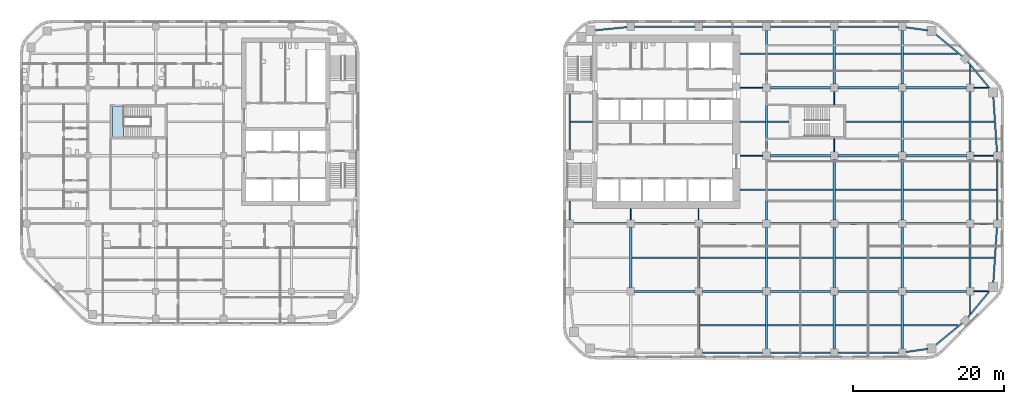
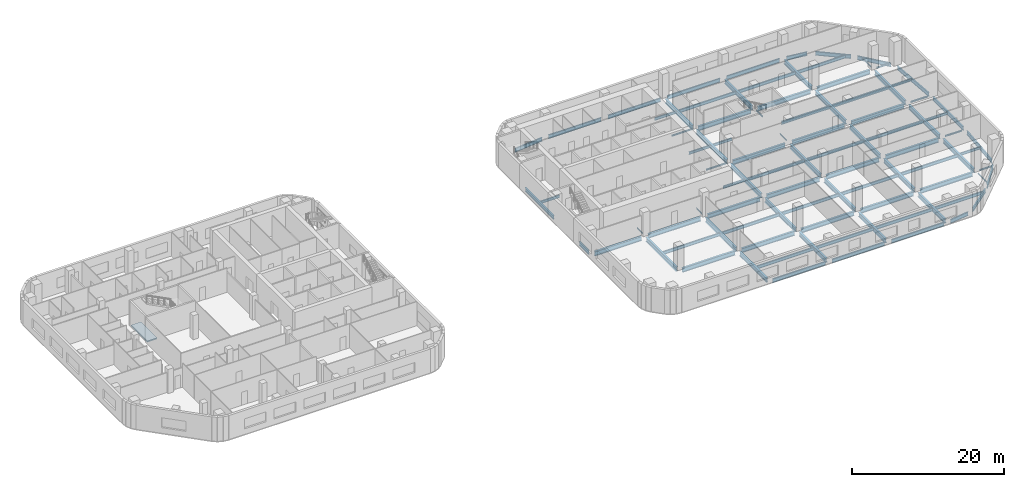
# One storey, part 3 of 16: 93 beams, 1 slab, 1 element without a shape of its own.
"""IFC4 building model written with IfcOpenShell, lengths in metres."""

from ifc_helpers import new_model, si_unit, direction, frame, origin, origin_2d, place, context, subcontext, project, spatial, polyline, i_section, outline, extrude, material, layer, layer_set, material_profile, profile_set, type_object, element, aggregate, save


model = new_model("IFC4")

# Units and contexts
model_context = context("Model", 3, precision=1e-05, world=origin(), true_north=direction((0.0, 1.0)))
body_context = subcontext(model_context, "Body", "Model", "MODEL_VIEW")
ifc_project = project(units=[si_unit("LENGTHUNIT", "METRE"), si_unit("AREAUNIT", "SQUARE_METRE"), si_unit("VOLUMEUNIT", "CUBIC_METRE"), si_unit("PLANEANGLEUNIT", "RADIAN"), si_unit("MASSUNIT", "GRAM", prefix="KILO")], contexts=[model_context])

# Site, building, storey
site_placement = place(None, origin())
site = spatial("IfcSite", under=ifc_project, at=site_placement, CompositionType="ELEMENT")
building_placement = place(site_placement, origin())
building = spatial("IfcBuilding", under=site, at=building_placement, Name="Cinnabar Reach Civic Tower", CompositionType="ELEMENT")
storey_placement = place(building_placement, frame((0.0, 0.0, 38.0)))
storey = spatial("IfcBuildingStorey", under=building, at=storey_placement, Name="L08", CompositionType="ELEMENT", Elevation=38.0)

# Beams
ifc_material_1 = material(Name="Steel Q355B", Category="steel")
ifc_material_profile_1 = material_profile(ifc_material_1, i_section(OverallWidth=0.099, OverallDepth=0.198, WebThickness=0.0045, FlangeThickness=0.007, FilletRadius=0.013, at=origin_2d()), Name="HN200x100x5.5x8")
ifc_profile_set_1 = profile_set([ifc_material_profile_1], Name="Steel Q355B")
beam_type_1 = type_object("IfcBeamType", Name="HN200x100x5.5x8 beam R 180", PredefinedType="BEAM", material=ifc_profile_set_1)
for number, where, z_axis, x_axis, name in (
    (1, (9.0, 18.502, -0.249), (0.0, 1.0, 0.0), (-1.0, 0.0, 0.0), "Girder T1 L08 3"),
    (2, (18.0, 18.502, -0.249), (0.0, 1.0, 0.0), (-1.0, 0.0, 0.0), "Girder T1 L08 6"),
):
    element("IfcBeam", number, at=place(storey_placement, frame(where, z_axis=z_axis, x_axis=x_axis)), inside=storey, type_object=beam_type_1, Name=name, PredefinedType="BEAM", context=body_context, shape_type="SweptSolid", body=[
        extrude(i_section(OverallWidth=0.099, OverallDepth=0.198, WebThickness=0.0045, FlangeThickness=0.007, FilletRadius=0.013, at=origin_2d()), origin(), (0.0, 0.0, 1.0), 1.496),
    ])
for number, where, z_axis, x_axis, name in (
    (3, (36.0, 27.502, -0.249), (0.0, 1.0, 0.0), (-1.0, 0.0, 0.0), "Girder T1 L08 15"),
    (4, (36.0, 33.752, -0.249), (0.0, 1.0, 0.0), (-1.0, 0.0, 0.0), "Girder T1 L08 16"),
):
    element("IfcBeam", number, at=place(storey_placement, frame(where, z_axis=z_axis, x_axis=x_axis)), inside=storey, type_object=beam_type_1, Name=name, PredefinedType="BEAM", context=body_context, shape_type="SweptSolid", body=[
        extrude(i_section(OverallWidth=0.099, OverallDepth=0.198, WebThickness=0.0045, FlangeThickness=0.007, FilletRadius=0.013, at=origin_2d()), origin(), (0.0, 0.0, 1.0), 1.746),
    ])
for number, where, z_axis, x_axis, name in (
    (5, (54.0, 6.0682, -0.249), (0.0, 1.0, 0.0), (-1.0, 0.0, 0.0), "Girder T1 L08 23"),
    (6, (54.0, 36.502, -0.249), (0.0, 1.0, 0.0), (-1.0, 0.0, 0.0), "Girder T1 L08 27"),
):
    element("IfcBeam", number, at=place(storey_placement, frame(where, z_axis=z_axis, x_axis=x_axis)), inside=storey, type_object=beam_type_1, Name=name, PredefinedType="BEAM", context=body_context, shape_type="SweptSolid", body=[
        extrude(i_section(OverallWidth=0.099, OverallDepth=0.198, WebThickness=0.0045, FlangeThickness=0.007, FilletRadius=0.013, at=origin_2d()), origin(), (0.0, 0.0, 1.0), 2.4298),
    ])
ifc_material_profile_2 = material_profile(ifc_material_1, i_section(OverallWidth=0.124, OverallDepth=0.248, WebThickness=0.005, FlangeThickness=0.008, FilletRadius=0.013, at=origin_2d()), Name="HN250x125x6x9")
ifc_profile_set_2 = profile_set([ifc_material_profile_2], Name="Steel Q355B")
beam_type_2 = type_object("IfcBeamType", Name="HN250x125x6x9 beam R 180", PredefinedType="BEAM", material=ifc_profile_set_2)
beam_1_placement = place(storey_placement, frame((54.502, 9.0, -0.274), z_axis=(1.0, 0.0, 0.0), x_axis=(0.0, 1.0, 0.0)))
element("IfcBeam", 7, at=beam_1_placement, inside=storey, type_object=beam_type_2, Name="Girder T1 L08 7", PredefinedType="BEAM", context=body_context, shape_type="SweptSolid", body=[
    extrude(i_section(OverallWidth=0.124, OverallDepth=0.248, WebThickness=0.005, FlangeThickness=0.008, FilletRadius=0.013, at=origin_2d()), origin(), (0.0, 0.0, 1.0), 1.9162),
])
beam_2_placement = place(storey_placement, frame((54.502, 18.0, -0.274), z_axis=(1.0, 0.0, 0.0), x_axis=(0.0, 1.0, 0.0)))
element("IfcBeam", 8, at=beam_2_placement, inside=storey, type_object=beam_type_2, Name="Girder T1 L08 14", PredefinedType="BEAM", context=body_context, shape_type="SweptSolid", body=[
    extrude(i_section(OverallWidth=0.124, OverallDepth=0.248, WebThickness=0.005, FlangeThickness=0.008, FilletRadius=0.013, at=origin_2d()), origin(), (0.0, 0.0, 1.0), 2.596),
])
beam_3_placement = place(storey_placement, frame((23.502, 27.0, -0.274), z_axis=(1.0, 0.0, 0.0), x_axis=(0.0, 1.0, 0.0)))
element("IfcBeam", 9, at=beam_3_placement, inside=storey, type_object=beam_type_2, Name="Girder T1 L08 15", PredefinedType="BEAM", context=body_context, shape_type="SweptSolid", body=[
    extrude(i_section(OverallWidth=0.124, OverallDepth=0.248, WebThickness=0.005, FlangeThickness=0.008, FilletRadius=0.013, at=origin_2d()), origin(), (0.0, 0.0, 1.0), 2.996),
])
beam_4_placement = place(storey_placement, frame((54.502, 27.0, -0.274), z_axis=(1.0, 0.0, 0.0), x_axis=(0.0, 1.0, 0.0)))
element("IfcBeam", 10, at=beam_4_placement, inside=storey, type_object=beam_type_2, Name="Girder T1 L08 19", PredefinedType="BEAM", context=body_context, shape_type="SweptSolid", body=[
    extrude(i_section(OverallWidth=0.124, OverallDepth=0.248, WebThickness=0.005, FlangeThickness=0.008, FilletRadius=0.013, at=origin_2d()), origin(), (0.0, 0.0, 1.0), 2.596),
])
beam_5_placement = place(storey_placement, frame((23.502, 36.0, -0.274), z_axis=(1.0, 0.0, 0.0), x_axis=(0.0, 1.0, 0.0)))
element("IfcBeam", 11, at=beam_5_placement, inside=storey, type_object=beam_type_2, Name="Girder T1 L08 20", PredefinedType="BEAM", context=body_context, shape_type="SweptSolid", body=[
    extrude(i_section(OverallWidth=0.124, OverallDepth=0.248, WebThickness=0.005, FlangeThickness=0.008, FilletRadius=0.013, at=origin_2d()), origin(), (0.0, 0.0, 1.0), 2.996),
])
beam_6_placement = place(storey_placement, frame((54.502, 36.0, -0.274), z_axis=(1.0, 0.0, 0.0), x_axis=(0.0, 1.0, 0.0)))
element("IfcBeam", 12, at=beam_6_placement, inside=storey, type_object=beam_type_2, Name="Girder T1 L08 24", PredefinedType="BEAM", context=body_context, shape_type="SweptSolid", body=[
    extrude(i_section(OverallWidth=0.124, OverallDepth=0.248, WebThickness=0.005, FlangeThickness=0.008, FilletRadius=0.013, at=origin_2d()), origin(), (0.0, 0.0, 1.0), 1.9162),
])
ifc_material_profile_3 = material_profile(ifc_material_1, i_section(OverallWidth=0.2, OverallDepth=0.4, WebThickness=0.008, FlangeThickness=0.013, FilletRadius=0.016, at=origin_2d()), Name="HN400x200x8x13")
ifc_profile_set_3 = profile_set([ifc_material_profile_3], Name="Steel Q355B")
beam_type_3 = type_object("IfcBeamType", Name="HN400x200x8x13 beam R 180", PredefinedType="BEAM", material=ifc_profile_set_3)
beam_7_placement = place(storey_placement, frame((54.152, 13.5, -0.35), z_axis=(1.0, 0.0, 0.0), x_axis=(0.0, 1.0, 0.0)))
element("IfcBeam", 13, at=beam_7_placement, inside=storey, type_object=beam_type_3, Name="Secondary beam T1 L08 13", PredefinedType="BEAM", context=body_context, shape_type="SweptSolid", body=[
    extrude(i_section(OverallWidth=0.2, OverallDepth=0.4, WebThickness=0.008, FlangeThickness=0.013, FilletRadius=0.016, at=origin_2d()), origin(), (0.0, 0.0, 1.0), 3.0494),
])
for number, where, z_axis, x_axis, name in (
    (14, (23.502, 22.5, -0.35), (1.0, 0.0, 0.0), (0.0, 1.0, 0.0), "Secondary beam T1 L08 14"),
    (15, (54.152, 22.5, -0.35), (1.0, 0.0, 0.0), (0.0, 1.0, 0.0), "Secondary beam T1 L08 18"),
):
    element("IfcBeam", number, at=place(storey_placement, frame(where, z_axis=z_axis, x_axis=x_axis)), inside=storey, type_object=beam_type_3, Name=name, PredefinedType="BEAM", context=body_context, shape_type="SweptSolid", body=[
        extrude(i_section(OverallWidth=0.2, OverallDepth=0.4, WebThickness=0.008, FlangeThickness=0.013, FilletRadius=0.016, at=origin_2d()), origin(), (0.0, 0.0, 1.0), 3.346),
    ])
beam_8_placement = place(storey_placement, frame((1.002, 31.5, -0.35), z_axis=(1.0, 0.0, 0.0), x_axis=(0.0, 1.0, 0.0)))
element("IfcBeam", 16, at=beam_8_placement, inside=storey, type_object=beam_type_3, Name="Secondary beam T1 L08 19", PredefinedType="BEAM", context=body_context, shape_type="SweptSolid", body=[
    extrude(i_section(OverallWidth=0.2, OverallDepth=0.4, WebThickness=0.008, FlangeThickness=0.013, FilletRadius=0.016, at=origin_2d()), origin(), (0.0, 0.0, 1.0), 2.896),
])
beam_9_placement = place(storey_placement, frame((23.502, 31.5, -0.35), z_axis=(1.0, 0.0, 0.0), x_axis=(0.0, 1.0, 0.0)))
element("IfcBeam", 17, at=beam_9_placement, inside=storey, type_object=beam_type_3, Name="Secondary beam T1 L08 20", PredefinedType="BEAM", context=body_context, shape_type="SweptSolid", body=[
    extrude(i_section(OverallWidth=0.2, OverallDepth=0.4, WebThickness=0.008, FlangeThickness=0.013, FilletRadius=0.016, at=origin_2d()), origin(), (0.0, 0.0, 1.0), 3.346),
])
beam_10_placement = place(storey_placement, frame((27.152, 31.5, -0.35), z_axis=(1.0, 0.0, 0.0), x_axis=(0.0, 1.0, 0.0)))
element("IfcBeam", 18, at=beam_10_placement, inside=storey, type_object=beam_type_3, Name="Secondary beam T1 L08 21", PredefinedType="BEAM", context=body_context, shape_type="SweptSolid", body=[
    extrude(i_section(OverallWidth=0.2, OverallDepth=0.4, WebThickness=0.008, FlangeThickness=0.013, FilletRadius=0.016, at=origin_2d()), origin(), (0.0, 0.0, 1.0), 2.846),
])
beam_11_placement = place(storey_placement, frame((54.152, 31.5, -0.35), z_axis=(1.0, 0.0, 0.0), x_axis=(0.0, 1.0, 0.0)))
element("IfcBeam", 19, at=beam_11_placement, inside=storey, type_object=beam_type_3, Name="Secondary beam T1 L08 24", PredefinedType="BEAM", context=body_context, shape_type="SweptSolid", body=[
    extrude(i_section(OverallWidth=0.2, OverallDepth=0.4, WebThickness=0.008, FlangeThickness=0.013, FilletRadius=0.016, at=origin_2d()), origin(), (0.0, 0.0, 1.0), 3.0494),
])
beam_12_placement = place(storey_placement, frame((23.502, 40.5, -0.35), z_axis=(1.0, 0.0, 0.0), x_axis=(0.0, 1.0, 0.0)))
element("IfcBeam", 20, at=beam_12_placement, inside=storey, type_object=beam_type_3, Name="Secondary beam T1 L08 25", PredefinedType="BEAM", context=body_context, shape_type="SweptSolid", body=[
    extrude(i_section(OverallWidth=0.2, OverallDepth=0.4, WebThickness=0.008, FlangeThickness=0.013, FilletRadius=0.016, at=origin_2d()), origin(), (0.0, 0.0, 1.0), 3.346),
])
ifc_material_profile_4 = material_profile(ifc_material_1, i_section(OverallWidth=0.2, OverallDepth=0.5, WebThickness=0.01, FlangeThickness=0.016, FilletRadius=0.016, at=origin_2d()), Name="HN500x200x10x16")
ifc_profile_set_4 = profile_set([ifc_material_profile_4], Name="Steel Q355B")
beam_type_4 = type_object("IfcBeamType", Name="HN500x200x10x16 beam R 180", PredefinedType="BEAM", material=ifc_profile_set_4)
for number, where, z_axis, x_axis, name in (
    (21, (18.152, 4.5, -0.4), (1.0, 0.0, 0.0), (0.0, 1.0, 0.0), "Secondary beam T1 L08 3"),
    (22, (27.152, 4.5, -0.4), (1.0, 0.0, 0.0), (0.0, 1.0, 0.0), "Secondary beam T1 L08 4"),
    (23, (36.152, 4.5, -0.4), (1.0, 0.0, 0.0), (0.0, 1.0, 0.0), "Secondary beam T1 L08 5"),
):
    element("IfcBeam", number, at=place(storey_placement, frame(where, z_axis=z_axis, x_axis=x_axis)), inside=storey, type_object=beam_type_4, Name=name, PredefinedType="BEAM", context=body_context, shape_type="SweptSolid", body=[
        extrude(i_section(OverallWidth=0.2, OverallDepth=0.5, WebThickness=0.01, FlangeThickness=0.016, FilletRadius=0.016, at=origin_2d()), origin(), (0.0, 0.0, 1.0), 8.696),
    ])
beam_13_placement = place(storey_placement, frame((45.152, 4.5, -0.4), z_axis=(1.0, 0.0, 0.0), x_axis=(0.0, 1.0, 0.0)))
element("IfcBeam", 24, at=beam_13_placement, inside=storey, type_object=beam_type_4, Name="Secondary beam T1 L08 6", PredefinedType="BEAM", context=body_context, shape_type="SweptSolid", body=[
    extrude(i_section(OverallWidth=0.2, OverallDepth=0.5, WebThickness=0.01, FlangeThickness=0.016, FilletRadius=0.016, at=origin_2d()), origin(), (0.0, 0.0, 1.0), 7.2798),
])
for number, where, z_axis, x_axis, name in (
    (25, (9.152, 13.5, -0.4), (1.0, 0.0, 0.0), (0.0, 1.0, 0.0), "Secondary beam T1 L08 8"),
    (26, (18.152, 13.5, -0.4), (1.0, 0.0, 0.0), (0.0, 1.0, 0.0), "Secondary beam T1 L08 9"),
    (27, (27.152, 13.5, -0.4), (1.0, 0.0, 0.0), (0.0, 1.0, 0.0), "Secondary beam T1 L08 10"),
    (28, (36.152, 13.5, -0.4), (1.0, 0.0, 0.0), (0.0, 1.0, 0.0), "Secondary beam T1 L08 11"),
    (29, (45.152, 13.5, -0.4), (1.0, 0.0, 0.0), (0.0, 1.0, 0.0), "Secondary beam T1 L08 12"),
    (30, (27.152, 22.5, -0.4), (1.0, 0.0, 0.0), (0.0, 1.0, 0.0), "Secondary beam T1 L08 15"),
    (31, (36.152, 22.5, -0.4), (1.0, 0.0, 0.0), (0.0, 1.0, 0.0), "Secondary beam T1 L08 16"),
    (32, (45.152, 22.5, -0.4), (1.0, 0.0, 0.0), (0.0, 1.0, 0.0), "Secondary beam T1 L08 17"),
):
    element("IfcBeam", number, at=place(storey_placement, frame(where, z_axis=z_axis, x_axis=x_axis)), inside=storey, type_object=beam_type_4, Name=name, PredefinedType="BEAM", context=body_context, shape_type="SweptSolid", body=[
        extrude(i_section(OverallWidth=0.2, OverallDepth=0.5, WebThickness=0.01, FlangeThickness=0.016, FilletRadius=0.016, at=origin_2d()), origin(), (0.0, 0.0, 1.0), 8.696),
    ])
beam_14_placement = place(storey_placement, frame((37.502, 31.5, -0.4), z_axis=(1.0, 0.0, 0.0), x_axis=(0.0, 1.0, 0.0)))
element("IfcBeam", 33, at=beam_14_placement, inside=storey, type_object=beam_type_4, Name="Secondary beam T1 L08 22", PredefinedType="BEAM", context=body_context, shape_type="SweptSolid", body=[
    extrude(i_section(OverallWidth=0.2, OverallDepth=0.5, WebThickness=0.01, FlangeThickness=0.016, FilletRadius=0.016, at=origin_2d()), origin(), (0.0, 0.0, 1.0), 7.346),
])
for number, where, z_axis, x_axis, name in (
    (34, (45.152, 31.5, -0.4), (1.0, 0.0, 0.0), (0.0, 1.0, 0.0), "Secondary beam T1 L08 23"),
    (35, (27.152, 40.5, -0.4), (1.0, 0.0, 0.0), (0.0, 1.0, 0.0), "Secondary beam T1 L08 26"),
    (36, (36.152, 40.5, -0.4), (1.0, 0.0, 0.0), (0.0, 1.0, 0.0), "Secondary beam T1 L08 27"),
):
    element("IfcBeam", number, at=place(storey_placement, frame(where, z_axis=z_axis, x_axis=x_axis)), inside=storey, type_object=beam_type_4, Name=name, PredefinedType="BEAM", context=body_context, shape_type="SweptSolid", body=[
        extrude(i_section(OverallWidth=0.2, OverallDepth=0.5, WebThickness=0.01, FlangeThickness=0.016, FilletRadius=0.016, at=origin_2d()), origin(), (0.0, 0.0, 1.0), 8.696),
    ])
beam_15_placement = place(storey_placement, frame((45.152, 40.5, -0.4), z_axis=(1.0, 0.0, 0.0), x_axis=(0.0, 1.0, 0.0)))
element("IfcBeam", 37, at=beam_15_placement, inside=storey, type_object=beam_type_4, Name="Secondary beam T1 L08 28", PredefinedType="BEAM", context=body_context, shape_type="SweptSolid", body=[
    extrude(i_section(OverallWidth=0.2, OverallDepth=0.5, WebThickness=0.01, FlangeThickness=0.016, FilletRadius=0.016, at=origin_2d()), origin(), (0.0, 0.0, 1.0), 7.2798),
])
ifc_material_profile_5 = material_profile(ifc_material_1, i_section(OverallWidth=0.2, OverallDepth=0.6, WebThickness=0.011, FlangeThickness=0.017, FilletRadius=0.016, at=origin_2d()), Name="HN600x200x11x17")
ifc_profile_set_5 = profile_set([ifc_material_profile_5], Name="Steel Q355B")
beam_type_5 = type_object("IfcBeamType", Name="HN600x200x11x17 beam R 180", PredefinedType="BEAM", material=ifc_profile_set_5)
for number, where, z_axis, x_axis, name in (
    (38, (18.502, 0.9, -0.45), (1.0, 0.0, 0.0), (0.0, 1.0, 0.0), "Edge beam T1 L08 3"),
    (39, (27.502, 0.9, -0.45), (1.0, 0.0, 0.0), (0.0, 1.0, 0.0), "Edge beam T1 L08 4"),
    (40, (36.502, 0.9, -0.45), (1.0, 0.0, 0.0), (0.0, 1.0, 0.0), "Edge beam T1 L08 5"),
):
    element("IfcBeam", number, at=place(storey_placement, frame(where, z_axis=z_axis, x_axis=x_axis)), inside=storey, type_object=beam_type_5, Name=name, PredefinedType="BEAM", context=body_context, shape_type="SweptSolid", body=[
        extrude(i_section(OverallWidth=0.2, OverallDepth=0.6, WebThickness=0.011, FlangeThickness=0.017, FilletRadius=0.016, at=origin_2d()), origin(), (0.0, 0.0, 1.0), 7.996),
    ])
beam_16_placement = place(storey_placement, frame((45.502, 0.9712, -0.45), z_axis=(0.990082238922, 0.140489003738, 0.0), x_axis=(-0.140489003738, 0.990082238922, 0.0)))
element("IfcBeam", 41, at=beam_16_placement, inside=storey, type_object=beam_type_5, Name="Edge beam T1 L08 6", PredefinedType="BEAM", context=body_context, shape_type="SweptSolid", body=[
    extrude(i_section(OverallWidth=0.2, OverallDepth=0.6, WebThickness=0.011, FlangeThickness=0.017, FilletRadius=0.016, at=origin_2d()), origin(), (0.0, 0.0, 1.0), 2.9433),
])
for number, where, z_axis, x_axis, name in (
    (42, (49.3801, 1.8507, -0.45), (0.77143827905, 0.6363041581, 0.0), (-0.6363041581, 0.77143827905, 0.0), "Edge beam T1 L08 7"),
    (43, (53.6461, 5.4789, -0.45), (0.6363041581, 0.77143827905, 0.0), (-0.77143827905, 0.6363041581, 0.0), "Edge beam T1 L08 8"),
):
    element("IfcBeam", number, at=place(storey_placement, frame(where, z_axis=z_axis, x_axis=x_axis)), inside=storey, type_object=beam_type_5, Name=name, PredefinedType="BEAM", context=body_context, shape_type="SweptSolid", body=[
        extrude(i_section(OverallWidth=0.2, OverallDepth=0.6, WebThickness=0.011, FlangeThickness=0.017, FilletRadius=0.016, at=origin_2d()), origin(), (0.0, 0.0, 1.0), 4.7198),
    ])
beam_17_placement = place(storey_placement, frame((57.0786, 10.0839, -0.45), z_axis=(0.065718615968, 0.997838195057, 0.0), x_axis=(-0.997838195057, 0.065718615968, 0.0)))
element("IfcBeam", 44, at=beam_17_placement, inside=storey, type_object=beam_type_5, Name="Edge beam T1 L08 9", PredefinedType="BEAM", context=body_context, shape_type="SweptSolid", body=[
    extrude(i_section(OverallWidth=0.2, OverallDepth=0.6, WebThickness=0.011, FlangeThickness=0.017, FilletRadius=0.016, at=origin_2d()), origin(), (0.0, 0.0, 1.0), 7.4302),
])
beam_18_placement = place(storey_placement, frame((57.6, 18.502, -0.45), z_axis=(0.0, 1.0, 0.0), x_axis=(-1.0, 0.0, 0.0)))
element("IfcBeam", 45, at=beam_18_placement, inside=storey, type_object=beam_type_5, Name="Edge beam T1 L08 10", PredefinedType="BEAM", context=body_context, shape_type="SweptSolid", body=[
    extrude(i_section(OverallWidth=0.2, OverallDepth=0.6, WebThickness=0.011, FlangeThickness=0.017, FilletRadius=0.016, at=origin_2d()), origin(), (0.0, 0.0, 1.0), 7.996),
])
beam_19_placement = place(storey_placement, frame((57.5669, 27.502, -0.45), z_axis=(-0.065718615968, 0.997838195057, 0.0), x_axis=(-0.997838195057, -0.065718615968, 0.0)))
element("IfcBeam", 46, at=beam_19_placement, inside=storey, type_object=beam_type_5, Name="Edge beam T1 L08 11", PredefinedType="BEAM", context=body_context, shape_type="SweptSolid", body=[
    extrude(i_section(OverallWidth=0.2, OverallDepth=0.6, WebThickness=0.011, FlangeThickness=0.017, FilletRadius=0.016, at=origin_2d()), origin(), (0.0, 0.0, 1.0), 7.4302),
])
for number, where, z_axis, x_axis, name in (
    (47, (56.6493, 35.8801, -0.45), (-0.6363041581, 0.77143827905, 0.0), (-0.77143827905, -0.6363041581, 0.0), "Edge beam T1 L08 12"),
    (48, (53.0211, 40.1461, -0.45), (-0.77143827905, 0.6363041581, 0.0), (-0.6363041581, -0.77143827905, 0.0), "Edge beam T1 L08 13"),
):
    element("IfcBeam", number, at=place(storey_placement, frame(where, z_axis=z_axis, x_axis=x_axis)), inside=storey, type_object=beam_type_5, Name=name, PredefinedType="BEAM", context=body_context, shape_type="SweptSolid", body=[
        extrude(i_section(OverallWidth=0.2, OverallDepth=0.6, WebThickness=0.011, FlangeThickness=0.017, FilletRadius=0.016, at=origin_2d()), origin(), (0.0, 0.0, 1.0), 4.7198),
    ])
beam_20_placement = place(storey_placement, frame((48.4161, 43.6153, -0.45), z_axis=(-0.990082238922, 0.140489003738, 0.0), x_axis=(-0.140489003738, -0.990082238922, 0.0)))
element("IfcBeam", 49, at=beam_20_placement, inside=storey, type_object=beam_type_5, Name="Edge beam T1 L08 14", PredefinedType="BEAM", context=body_context, shape_type="SweptSolid", body=[
    extrude(i_section(OverallWidth=0.2, OverallDepth=0.6, WebThickness=0.011, FlangeThickness=0.017, FilletRadius=0.016, at=origin_2d()), origin(), (0.0, 0.0, 1.0), 2.9433),
])
for number, where, z_axis, x_axis, name in (
    (50, (44.498, 44.1, -0.45), (-1.0, 0.0, 0.0), (0.0, -1.0, 0.0), "Edge beam T1 L08 15"),
    (51, (35.498, 44.1, -0.45), (-1.0, 0.0, 0.0), (0.0, -1.0, 0.0), "Edge beam T1 L08 16"),
    (52, (26.498, 44.1, -0.45), (-1.0, 0.0, 0.0), (0.0, -1.0, 0.0), "Edge beam T1 L08 17"),
    (53, (17.498, 44.1, -0.45), (-1.0, 0.0, 0.0), (0.0, -1.0, 0.0), "Edge beam T1 L08 18"),
):
    element("IfcBeam", number, at=place(storey_placement, frame(where, z_axis=z_axis, x_axis=x_axis)), inside=storey, type_object=beam_type_5, Name=name, PredefinedType="BEAM", context=body_context, shape_type="SweptSolid", body=[
        extrude(i_section(OverallWidth=0.2, OverallDepth=0.6, WebThickness=0.011, FlangeThickness=0.017, FilletRadius=0.016, at=origin_2d()), origin(), (0.0, 0.0, 1.0), 7.996),
    ])
beam_21_placement = place(storey_placement, frame((8.498, 44.0505, -0.45), z_axis=(-0.995166374533, -0.098203294236, 0.0), x_axis=(0.098203294236, -0.995166374533, 0.0)))
element("IfcBeam", 54, at=beam_21_placement, inside=storey, type_object=beam_type_5, Name="Edge beam T1 L08 19", PredefinedType="BEAM", context=body_context, shape_type="SweptSolid", body=[
    extrude(i_section(OverallWidth=0.2, OverallDepth=0.6, WebThickness=0.011, FlangeThickness=0.017, FilletRadius=0.016, at=origin_2d()), origin(), (0.0, 0.0, 1.0), 4.3705),
])
beam_22_placement = place(storey_placement, frame((0.9, 35.248, -0.45), z_axis=(0.0, -1.0, 0.0), x_axis=(1.0, 0.0, 0.0)))
element("IfcBeam", 55, at=beam_22_placement, inside=storey, type_object=beam_type_5, Name="Edge beam T1 L08 20", PredefinedType="BEAM", context=body_context, shape_type="SweptSolid", body=[
    extrude(i_section(OverallWidth=0.2, OverallDepth=0.6, WebThickness=0.011, FlangeThickness=0.017, FilletRadius=0.016, at=origin_2d()), origin(), (0.0, 0.0, 1.0), 7.496),
])
beam_23_placement = place(storey_placement, frame((0.9, 20.998, -0.45), z_axis=(0.0, -1.0, 0.0), x_axis=(1.0, 0.0, 0.0)))
element("IfcBeam", 56, at=beam_23_placement, inside=storey, type_object=beam_type_5, Name="Edge beam T1 L08 21", PredefinedType="BEAM", context=body_context, shape_type="SweptSolid", body=[
    extrude(i_section(OverallWidth=0.2, OverallDepth=0.6, WebThickness=0.011, FlangeThickness=0.017, FilletRadius=0.016, at=origin_2d()), origin(), (0.0, 0.0, 1.0), 2.496),
])
ifc_material_profile_6 = material_profile(ifc_material_1, i_section(OverallWidth=0.3, OverallDepth=0.692, WebThickness=0.013, FlangeThickness=0.02, FilletRadius=0.016, at=origin_2d()), Name="HN692x300x13x20")
ifc_profile_set_6 = profile_set([ifc_material_profile_6], Name="Steel Q355B")
beam_type_6 = type_object("IfcBeamType", Name="HN692x300x13x20 beam R 180", PredefinedType="BEAM", material=ifc_profile_set_6)
beam_24_placement = place(storey_placement, frame((9.0, 9.502, -0.496), z_axis=(0.0, 1.0, 0.0), x_axis=(-1.0, 0.0, 0.0)))
element("IfcBeam", 57, at=beam_24_placement, inside=storey, type_object=beam_type_6, Name="Girder T1 L08 2", PredefinedType="BEAM", context=body_context, shape_type="SweptSolid", body=[
    extrude(i_section(OverallWidth=0.3, OverallDepth=0.692, WebThickness=0.013, FlangeThickness=0.02, FilletRadius=0.016, at=origin_2d()), origin(), (0.0, 0.0, 1.0), 7.996),
])
beam_25_placement = place(storey_placement, frame((18.0, 1.402, -0.496), z_axis=(0.0, 1.0, 0.0), x_axis=(-1.0, 0.0, 0.0)))
element("IfcBeam", 58, at=beam_25_placement, inside=storey, type_object=beam_type_6, Name="Girder T1 L08 4", PredefinedType="BEAM", context=body_context, shape_type="SweptSolid", body=[
    extrude(i_section(OverallWidth=0.3, OverallDepth=0.692, WebThickness=0.013, FlangeThickness=0.02, FilletRadius=0.016, at=origin_2d()), origin(), (0.0, 0.0, 1.0), 7.096),
])
beam_26_placement = place(storey_placement, frame((18.0, 9.502, -0.496), z_axis=(0.0, 1.0, 0.0), x_axis=(-1.0, 0.0, 0.0)))
element("IfcBeam", 59, at=beam_26_placement, inside=storey, type_object=beam_type_6, Name="Girder T1 L08 5", PredefinedType="BEAM", context=body_context, shape_type="SweptSolid", body=[
    extrude(i_section(OverallWidth=0.3, OverallDepth=0.692, WebThickness=0.013, FlangeThickness=0.02, FilletRadius=0.016, at=origin_2d()), origin(), (0.0, 0.0, 1.0), 7.996),
])
beam_27_placement = place(storey_placement, frame((27.0, 1.402, -0.496), z_axis=(0.0, 1.0, 0.0), x_axis=(-1.0, 0.0, 0.0)))
element("IfcBeam", 60, at=beam_27_placement, inside=storey, type_object=beam_type_6, Name="Girder T1 L08 7", PredefinedType="BEAM", context=body_context, shape_type="SweptSolid", body=[
    extrude(i_section(OverallWidth=0.3, OverallDepth=0.692, WebThickness=0.013, FlangeThickness=0.02, FilletRadius=0.016, at=origin_2d()), origin(), (0.0, 0.0, 1.0), 7.096),
])
for number, where, z_axis, x_axis, name in (
    (61, (27.0, 9.502, -0.496), (0.0, 1.0, 0.0), (-1.0, 0.0, 0.0), "Girder T1 L08 8"),
    (62, (27.0, 18.502, -0.496), (0.0, 1.0, 0.0), (-1.0, 0.0, 0.0), "Girder T1 L08 9"),
    (63, (27.0, 27.502, -0.496), (0.0, 1.0, 0.0), (-1.0, 0.0, 0.0), "Girder T1 L08 10"),
):
    element("IfcBeam", number, at=place(storey_placement, frame(where, z_axis=z_axis, x_axis=x_axis)), inside=storey, type_object=beam_type_6, Name=name, PredefinedType="BEAM", context=body_context, shape_type="SweptSolid", body=[
        extrude(i_section(OverallWidth=0.3, OverallDepth=0.692, WebThickness=0.013, FlangeThickness=0.02, FilletRadius=0.016, at=origin_2d()), origin(), (0.0, 0.0, 1.0), 7.996),
    ])
for number, where, z_axis, x_axis, name in (
    (64, (27.0, 36.502, -0.496), (0.0, 1.0, 0.0), (-1.0, 0.0, 0.0), "Girder T1 L08 11"),
    (65, (36.0, 1.402, -0.496), (0.0, 1.0, 0.0), (-1.0, 0.0, 0.0), "Girder T1 L08 12"),
):
    element("IfcBeam", number, at=place(storey_placement, frame(where, z_axis=z_axis, x_axis=x_axis)), inside=storey, type_object=beam_type_6, Name=name, PredefinedType="BEAM", context=body_context, shape_type="SweptSolid", body=[
        extrude(i_section(OverallWidth=0.3, OverallDepth=0.692, WebThickness=0.013, FlangeThickness=0.02, FilletRadius=0.016, at=origin_2d()), origin(), (0.0, 0.0, 1.0), 7.096),
    ])
for number, where, z_axis, x_axis, name in (
    (66, (36.0, 9.502, -0.496), (0.0, 1.0, 0.0), (-1.0, 0.0, 0.0), "Girder T1 L08 13"),
    (67, (36.0, 18.502, -0.496), (0.0, 1.0, 0.0), (-1.0, 0.0, 0.0), "Girder T1 L08 14"),
):
    element("IfcBeam", number, at=place(storey_placement, frame(where, z_axis=z_axis, x_axis=x_axis)), inside=storey, type_object=beam_type_6, Name=name, PredefinedType="BEAM", context=body_context, shape_type="SweptSolid", body=[
        extrude(i_section(OverallWidth=0.3, OverallDepth=0.692, WebThickness=0.013, FlangeThickness=0.02, FilletRadius=0.016, at=origin_2d()), origin(), (0.0, 0.0, 1.0), 7.996),
    ])
for number, where, z_axis, x_axis, name in (
    (68, (36.0, 36.502, -0.496), (0.0, 1.0, 0.0), (-1.0, 0.0, 0.0), "Girder T1 L08 17"),
    (69, (45.0, 1.402, -0.496), (0.0, 1.0, 0.0), (-1.0, 0.0, 0.0), "Girder T1 L08 18"),
):
    element("IfcBeam", number, at=place(storey_placement, frame(where, z_axis=z_axis, x_axis=x_axis)), inside=storey, type_object=beam_type_6, Name=name, PredefinedType="BEAM", context=body_context, shape_type="SweptSolid", body=[
        extrude(i_section(OverallWidth=0.3, OverallDepth=0.692, WebThickness=0.013, FlangeThickness=0.02, FilletRadius=0.016, at=origin_2d()), origin(), (0.0, 0.0, 1.0), 7.096),
    ])
for number, where, z_axis, x_axis, name in (
    (70, (45.0, 9.502, -0.496), (0.0, 1.0, 0.0), (-1.0, 0.0, 0.0), "Girder T1 L08 19"),
    (71, (45.0, 18.502, -0.496), (0.0, 1.0, 0.0), (-1.0, 0.0, 0.0), "Girder T1 L08 20"),
    (72, (45.0, 27.502, -0.496), (0.0, 1.0, 0.0), (-1.0, 0.0, 0.0), "Girder T1 L08 21"),
):
    element("IfcBeam", number, at=place(storey_placement, frame(where, z_axis=z_axis, x_axis=x_axis)), inside=storey, type_object=beam_type_6, Name=name, PredefinedType="BEAM", context=body_context, shape_type="SweptSolid", body=[
        extrude(i_section(OverallWidth=0.3, OverallDepth=0.692, WebThickness=0.013, FlangeThickness=0.02, FilletRadius=0.016, at=origin_2d()), origin(), (0.0, 0.0, 1.0), 7.996),
    ])
beam_28_placement = place(storey_placement, frame((45.0, 36.502, -0.496), z_axis=(0.0, 1.0, 0.0), x_axis=(-1.0, 0.0, 0.0)))
element("IfcBeam", 73, at=beam_28_placement, inside=storey, type_object=beam_type_6, Name="Girder T1 L08 22", PredefinedType="BEAM", context=body_context, shape_type="SweptSolid", body=[
    extrude(i_section(OverallWidth=0.3, OverallDepth=0.692, WebThickness=0.013, FlangeThickness=0.02, FilletRadius=0.016, at=origin_2d()), origin(), (0.0, 0.0, 1.0), 7.096),
])
for number, where, z_axis, x_axis, name in (
    (74, (54.0, 9.502, -0.496), (0.0, 1.0, 0.0), (-1.0, 0.0, 0.0), "Girder T1 L08 24"),
    (75, (54.0, 18.502, -0.496), (0.0, 1.0, 0.0), (-1.0, 0.0, 0.0), "Girder T1 L08 25"),
    (76, (54.0, 27.502, -0.496), (0.0, 1.0, 0.0), (-1.0, 0.0, 0.0), "Girder T1 L08 26"),
):
    element("IfcBeam", number, at=place(storey_placement, frame(where, z_axis=z_axis, x_axis=x_axis)), inside=storey, type_object=beam_type_6, Name=name, PredefinedType="BEAM", context=body_context, shape_type="SweptSolid", body=[
        extrude(i_section(OverallWidth=0.3, OverallDepth=0.692, WebThickness=0.013, FlangeThickness=0.02, FilletRadius=0.016, at=origin_2d()), origin(), (0.0, 0.0, 1.0), 7.996),
    ])
ifc_material_profile_7 = material_profile(ifc_material_1, i_section(OverallWidth=0.3, OverallDepth=0.7, WebThickness=0.013, FlangeThickness=0.024, FilletRadius=0.02, at=origin_2d()), Name="HN700x300x13x24")
ifc_profile_set_7 = profile_set([ifc_material_profile_7], Name="Steel Q355B")
beam_type_7 = type_object("IfcBeamType", Name="HN700x300x13x24 beam R 180", PredefinedType="BEAM", material=ifc_profile_set_7)
for number, where, z_axis, x_axis, name in (
    (77, (9.502, 9.0, -0.5), (1.0, 0.0, 0.0), (0.0, 1.0, 0.0), "Girder T1 L08 2"),
    (78, (18.502, 9.0, -0.5), (1.0, 0.0, 0.0), (0.0, 1.0, 0.0), "Girder T1 L08 3"),
    (79, (27.502, 9.0, -0.5), (1.0, 0.0, 0.0), (0.0, 1.0, 0.0), "Girder T1 L08 4"),
    (80, (36.502, 9.0, -0.5), (1.0, 0.0, 0.0), (0.0, 1.0, 0.0), "Girder T1 L08 5"),
    (81, (45.502, 9.0, -0.5), (1.0, 0.0, 0.0), (0.0, 1.0, 0.0), "Girder T1 L08 6"),
):
    element("IfcBeam", number, at=place(storey_placement, frame(where, z_axis=z_axis, x_axis=x_axis)), inside=storey, type_object=beam_type_7, Name=name, PredefinedType="BEAM", context=body_context, shape_type="SweptSolid", body=[
        extrude(i_section(OverallWidth=0.3, OverallDepth=0.7, WebThickness=0.013, FlangeThickness=0.024, FilletRadius=0.02, at=origin_2d()), origin(), (0.0, 0.0, 1.0), 7.996),
    ])
beam_29_placement = place(storey_placement, frame((1.402, 18.0, -0.5), z_axis=(1.0, 0.0, 0.0), x_axis=(0.0, 1.0, 0.0)))
element("IfcBeam", 82, at=beam_29_placement, inside=storey, type_object=beam_type_7, Name="Girder T1 L08 8", PredefinedType="BEAM", context=body_context, shape_type="SweptSolid", body=[
    extrude(i_section(OverallWidth=0.3, OverallDepth=0.7, WebThickness=0.013, FlangeThickness=0.024, FilletRadius=0.02, at=origin_2d()), origin(), (0.0, 0.0, 1.0), 7.096),
])
for number, where, z_axis, x_axis, name in (
    (83, (9.502, 18.0, -0.5), (1.0, 0.0, 0.0), (0.0, 1.0, 0.0), "Girder T1 L08 9"),
    (84, (18.502, 18.0, -0.5), (1.0, 0.0, 0.0), (0.0, 1.0, 0.0), "Girder T1 L08 10"),
    (85, (27.502, 18.0, -0.5), (1.0, 0.0, 0.0), (0.0, 1.0, 0.0), "Girder T1 L08 11"),
    (86, (36.502, 18.0, -0.5), (1.0, 0.0, 0.0), (0.0, 1.0, 0.0), "Girder T1 L08 12"),
    (87, (45.502, 18.0, -0.5), (1.0, 0.0, 0.0), (0.0, 1.0, 0.0), "Girder T1 L08 13"),
    (88, (27.502, 27.0, -0.5), (1.0, 0.0, 0.0), (0.0, 1.0, 0.0), "Girder T1 L08 16"),
    (89, (36.502, 27.0, -0.5), (1.0, 0.0, 0.0), (0.0, 1.0, 0.0), "Girder T1 L08 17"),
    (90, (45.502, 27.0, -0.5), (1.0, 0.0, 0.0), (0.0, 1.0, 0.0), "Girder T1 L08 18"),
    (91, (27.502, 36.0, -0.5), (1.0, 0.0, 0.0), (0.0, 1.0, 0.0), "Girder T1 L08 21"),
    (92, (36.502, 36.0, -0.5), (1.0, 0.0, 0.0), (0.0, 1.0, 0.0), "Girder T1 L08 22"),
    (93, (45.502, 36.0, -0.5), (1.0, 0.0, 0.0), (0.0, 1.0, 0.0), "Girder T1 L08 23"),
):
    element("IfcBeam", number, at=place(storey_placement, frame(where, z_axis=z_axis, x_axis=x_axis)), inside=storey, type_object=beam_type_7, Name=name, PredefinedType="BEAM", context=body_context, shape_type="SweptSolid", body=[
        extrude(i_section(OverallWidth=0.3, OverallDepth=0.7, WebThickness=0.013, FlangeThickness=0.024, FilletRadius=0.02, at=origin_2d()), origin(), (0.0, 0.0, 1.0), 7.996),
    ])

# Stair, slab
ifc_material_2 = material(Name="Concrete C40", Category="concrete")
stair_type = type_object("IfcStairType", Name="T2 Exit stair 1500", PredefinedType="HALF_TURN_STAIR", material=ifc_material_2)
stair_placement = place(storey_placement, origin())
stair = element("IfcStair", 94, at=stair_placement, inside=storey, type_object=stair_type, Name="Exit stair 3", PredefinedType="HALF_TURN_STAIR")
ifc_layer = layer(ifc_material_2, 0.2)
ifc_layer_set = layer_set([ifc_layer], Name="T2 Stair landing 200")
slab_type = type_object("IfcSlabType", Name="T2 Stair landing 200", PredefinedType="LANDING", material=ifc_layer_set)
slab_placement = place(storey_placement, frame((0.0, 0.0, -0.2)))
slab = element("IfcSlab", 95, at=slab_placement, type_object=slab_type, Name="ST3 landing 1", PredefinedType="LANDING", context=body_context, shape_type="SweptSolid", body=[
    extrude(outline(polyline([(-59.75, 29.375), (-59.75, 33.625), (-58.25, 33.625), (-58.25, 29.375), (-59.75, 29.375)])), origin(), (0.0, 0.0, 1.0), 0.2),
])
aggregate(stair, [slab])

save(model, "model.ifc")
